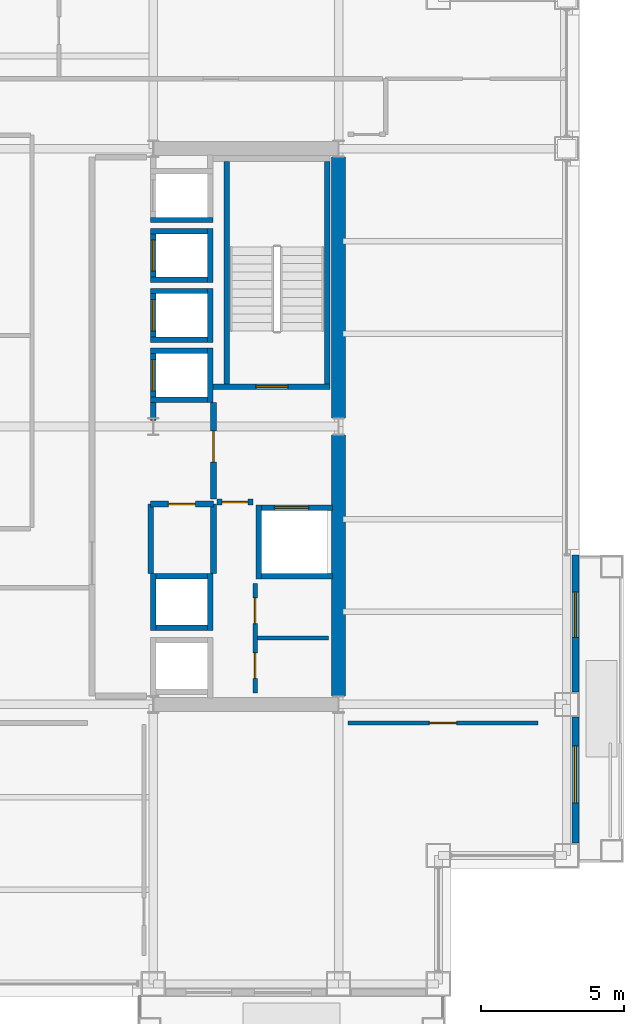
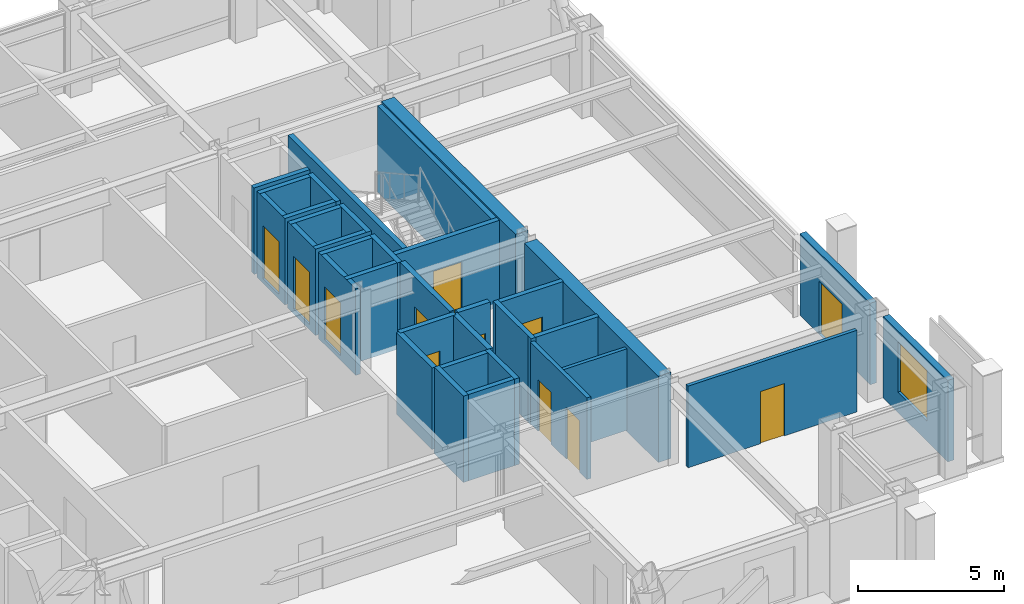
# One storey, part 30 of 34: 35 walls, 12 doors, 1 window, 13 openings.
"""IFC4 building model written with IfcOpenShell, lengths in metres."""

from ifc_helpers import new_model, si_unit, direction, frame, frame_2d, origin, place, context, subcontext, project, spatial, rectangle, extrude, material, layer, layer_set, type_object, element, fill, save


model = new_model("IFC4")

# Units and contexts
model_context = context("Model", 3, precision=1e-05, world=origin(), true_north=direction((0.0, 1.0)))
body_context = subcontext(model_context, "Body", "Model", "MODEL_VIEW")
ifc_project = project(units=[si_unit("LENGTHUNIT", "METRE"), si_unit("AREAUNIT", "SQUARE_METRE"), si_unit("VOLUMEUNIT", "CUBIC_METRE"), si_unit("PLANEANGLEUNIT", "RADIAN"), si_unit("MASSUNIT", "GRAM", prefix="KILO")], contexts=[model_context])

# Site, building, storey
site_placement = place(None, origin())
site = spatial("IfcSite", under=ifc_project, at=site_placement, CompositionType="ELEMENT")
building_placement = place(site_placement, origin())
building = spatial("IfcBuilding", under=site, at=building_placement, Name="Brelmoor Portico Tower", CompositionType="ELEMENT")
storey_placement = place(building_placement, frame((0.0, 0.0, 99.0)))
storey = spatial("IfcBuildingStorey", under=building, at=storey_placement, Name="L25", CompositionType="ELEMENT", Elevation=99.0)

# Walls
ifc_material_1 = material(Name="Concrete C60", Category="concrete")
ifc_layer_1 = layer(ifc_material_1, 0.5)
ifc_layer_set_1 = layer_set([ifc_layer_1], Name="Concrete C60")
wall_type_1 = type_object("IfcWallType", Name="WL-CORE-500", PredefinedType="SHEAR", material=ifc_layer_set_1)
for number, where, z_axis, x_axis, name in (
    (1, (14.550048828125, -9.449951171875, -0.199951171875), (0.0, 0.0, 1.0), (0.0, 1.0, 0.0), "L25 EC Outer South Shear Wall"),
    (2, (14.550048828125, 0.300048828125, -0.199951171875), (0.0, 0.0, 1.0), (0.0, 1.0, 0.0), "L25 EC Outer North Shear Wall"),
):
    element("IfcWall", number, at=place(storey_placement, frame(where, z_axis=z_axis, x_axis=x_axis)), inside=storey, type_object=wall_type_1, Name=name, PredefinedType="SHEAR", context=body_context, shape_type="SweptSolid", body=[
        extrude(rectangle(XDim=9.14990234375, YDim=0.5, at=frame_2d((4.574951171875, 0.0))), origin(), (0.0, 0.0, 1.0), 3.599853515625),
    ])

# Wall, opening, window
ifc_material_2 = material(Name="Precast Concrete C40 Insulated Facade Wall", Category="concrete")
ifc_layer_2 = layer(ifc_material_2, 0.25)
ifc_layer_set_2 = layer_set([ifc_layer_2], Name="Precast Concrete C40 Insulated Facade Wall")
wall_type_2 = type_object("IfcWallType", Name="WL-EXT-250", PredefinedType="STANDARD", material=ifc_layer_set_2)
wall_1_placement = place(storey_placement, frame((22.860107421875, -14.60498046875, 0.0), z_axis=(0.0, 0.0, 1.0), x_axis=(0.0, 1.0, 0.0)))
wall_1 = element("IfcWall", 3, at=wall_1_placement, inside=storey, type_object=wall_type_2, Name="L25 Loggia Threshold Wall E-1", PredefinedType="STANDARD", context=body_context, shape_type="SweptSolid", body=[
    extrude(rectangle(XDim=4.409912109375, YDim=0.25, at=frame_2d((2.205078125, 0.0))), origin(), (0.0, 0.0, 1.0), 3.39990234375),
])
opening_1_placement = place(wall_1_placement, frame((1.405029296875, 0.0, 0.85009765625)))
opening_1 = element("IfcOpeningElement", 4, at=opening_1_placement, cuts=wall_1, Name="Opening W-03", PredefinedType="OPENING", context=body_context, shape_type="SweptSolid", body=[
    extrude(rectangle(XDim=2.0, YDim=2.10009765625, at=frame_2d((1.0, 1.050048828125))), frame((0.0, 0.135009765625, 0.0), z_axis=(0.0, -1.0, 0.0), x_axis=(1.0, 0.0, 0.0)), (0.0, 0.0, 1.0), 0.27001953125),
])
ifc_material_3 = material(Name="Thermally Broken Aluminium Low-E Window", Category="aluminium")
window_type = type_object("IfcWindowType", Name="WN-LOGGIA-2000x2100", PartitioningType="SINGLE_PANEL", PredefinedType="WINDOW", material=ifc_material_3)
window_placement = place(opening_1_placement, origin())
window = element("IfcWindow", 5, at=window_placement, inside=storey, type_object=window_type, Name="L25 Loggia Window E", OverallHeight=2.10009765625, OverallWidth=2.0, PartitioningType="SINGLE_PANEL", PredefinedType="WINDOW", context=body_context, shape_type="SweptSolid", body=[
    extrude(rectangle(XDim=2.0, YDim=2.10009765625, at=frame_2d((1.0, 1.050048828125))), frame((0.0, 0.030029296875, 0.0), z_axis=(0.0, -1.0, 0.0), x_axis=(1.0, 0.0, 0.0)), (0.0, 0.0, 1.0), 0.06005859375),
])
fill(opening_1, window)

# Wall, opening, door
wall_2_placement = place(storey_placement, frame((22.860107421875, -9.304931640625, 0.0), z_axis=(0.0, 0.0, 1.0), x_axis=(0.0, 1.0, 0.0)))
wall_2 = element("IfcWall", 6, at=wall_2_placement, inside=storey, type_object=wall_type_2, Name="L25 Loggia Threshold Wall E-2", PredefinedType="STANDARD", context=body_context, shape_type="SweptSolid", body=[
    extrude(rectangle(XDim=4.804931640625, YDim=0.25, at=frame_2d((2.40234375, 0.0))), origin(), (0.0, 0.0, 1.0), 3.39990234375),
])
opening_2_placement = place(wall_2_placement, frame((1.905029296875, 0.0, 0.0)))
opening_2 = element("IfcOpeningElement", 7, at=opening_2_placement, cuts=wall_2, Name="Opening D-TB1", PredefinedType="OPENING", context=body_context, shape_type="SweptSolid", body=[
    extrude(rectangle(XDim=1.60009765625, YDim=2.199951171875, at=frame_2d((0.800048828125, 1.10009765625))), frame((0.0, 0.135009765625, 0.0), z_axis=(0.0, -1.0, 0.0), x_axis=(1.0, 0.0, 0.0)), (0.0, 0.0, 1.0), 0.27001953125),
])
ifc_material_4 = material(Name="Double-Leaf Thermally Broken Terrace Door", Category="aluminium")
door_type_1 = type_object("IfcDoorType", Name="DR-BALCONY-1600", OperationType="NOTDEFINED", PredefinedType="DOOR", material=ifc_material_4)
door_1_placement = place(opening_2_placement, origin())
door_1 = element("IfcDoor", 8, at=door_1_placement, inside=storey, type_object=door_type_1, Name="D-1120 L25 Tree Balcony Double Door E", OperationType="DOUBLE_DOOR_SINGLE_SWING", OverallHeight=2.199951171875, OverallWidth=1.60009765625, PredefinedType="DOOR", context=body_context, shape_type="SweptSolid", body=[
    extrude(rectangle(XDim=1.60009765625, YDim=2.199951171875, at=frame_2d((0.800048828125, 1.10009765625))), frame((0.0, 0.02490234375, 0.0), z_axis=(0.0, -1.0, 0.0), x_axis=(1.0, 0.0, 0.0)), (0.0, 0.0, 1.0), 0.050048828125),
])
fill(opening_2, door_1)

# Wall
ifc_material_5 = material(Name="Insulated Stud Suite Partition", Category="gypsum")
ifc_layer_3 = layer(ifc_material_5, 0.139892578125)
ifc_layer_set_3 = layer_set([ifc_layer_3], Name="Insulated Stud Suite Partition")
wall_type_3 = type_object("IfcWallType", Name="WL-PART-140", PredefinedType="PARTITIONING", material=ifc_layer_set_3)
wall_3_placement = place(storey_placement, frame((11.699951171875, -7.425048828125, 0.0), z_axis=(0.0, 0.0, 1.0), x_axis=(1.0, 0.0, 0.0)))
element("IfcWall", 9, at=wall_3_placement, inside=storey, type_object=wall_type_3, Name="L25 E Core WC Divider 1", PredefinedType="PARTITIONING", context=body_context, shape_type="SweptSolid", body=[
    extrude(rectangle(XDim=2.5, YDim=0.139892578125, at=frame_2d((1.25, 0.0))), origin(), (0.0, 0.0, 1.0), 3.39990234375),
])

# Wall, opening, door
wall_4_placement = place(storey_placement, frame((14.8798828125, -10.39990234375, 0.0), z_axis=(0.0, 0.0, 1.0), x_axis=(1.0, 0.0, 0.0)))
wall_4 = element("IfcWall", 10, at=wall_4_placement, inside=storey, type_object=wall_type_3, Name="L25 South Wing Closure ER", PredefinedType="PARTITIONING", context=body_context, shape_type="SweptSolid", body=[
    extrude(rectangle(XDim=6.670166015625, YDim=0.139892578125, at=frame_2d((3.3349609375, 0.0))), origin(), (0.0, 0.0, 1.0), 3.39990234375),
])
opening_3_placement = place(wall_4_placement, frame((2.85498046875, 0.0, 0.0)))
opening_3 = element("IfcOpeningElement", 11, at=opening_3_placement, cuts=wall_4, Name="Opening D-IN2", PredefinedType="OPENING", context=body_context, shape_type="SweptSolid", body=[
    extrude(rectangle(XDim=0.9599609375, YDim=2.179931640625, at=frame_2d((0.47998046875, 1.08984375))), frame((0.0, 0.079833984375, 0.0), z_axis=(0.0, -1.0, 0.0), x_axis=(1.0, 0.0, 0.0)), (0.0, 0.0, 1.0), 0.159912109375),
])
ifc_material_6 = material(Name="Lacquered Timber Suite Door", Category="wood")
door_type_2 = type_object("IfcDoorType", Name="DR-INT-950", OperationType="NOTDEFINED", PredefinedType="DOOR", material=ifc_material_6)
door_2_placement = place(opening_3_placement, origin())
door_2 = element("IfcDoor", 12, at=door_2_placement, inside=storey, type_object=door_type_2, Name="D-1118 L25 ER Wing South Suite Door", OperationType="SINGLE_SWING_RIGHT", OverallHeight=2.179931640625, OverallWidth=0.9599609375, PredefinedType="DOOR", context=body_context, shape_type="SweptSolid", body=[
    extrude(rectangle(XDim=0.9599609375, YDim=2.179931640625, at=frame_2d((0.47998046875, 1.08984375))), frame((0.0, 0.02490234375, 0.0), z_axis=(0.0, -1.0, 0.0), x_axis=(1.0, 0.0, 0.0)), (0.0, 0.0, 1.0), 0.050048828125),
])
fill(opening_3, door_2)

# Wall, openings, doors
ifc_material_7 = material(Name="Twin-Frame Acoustic Partition", Category="gypsum")
ifc_layer_4 = layer(ifc_material_7, 0.159912109375)
ifc_layer_set_4 = layer_set([ifc_layer_4], Name="Twin-Frame Acoustic Partition")
wall_type_4 = type_object("IfcWallType", Name="WL-PART-160", PredefinedType="PARTITIONING", material=ifc_layer_set_4)
wall_5_placement = place(storey_placement, frame((11.6201171875, -9.35009765625, 0.0), z_axis=(0.0, 0.0, 1.0), x_axis=(0.0, 1.0, 0.0)))
wall_5 = element("IfcWall", 13, at=wall_5_placement, inside=storey, type_object=wall_type_4, Name="L25 E Core Service Front Wall", PredefinedType="PARTITIONING", context=body_context, shape_type="SweptSolid", body=[
    extrude(rectangle(XDim=3.85009765625, YDim=0.159912109375, at=frame_2d((1.925048828125, 0.0))), origin(), (0.0, 0.0, 1.0), 3.39990234375),
])
opening_4_placement = place(wall_5_placement, frame((0.512451171875, 0.0, 0.0)))
opening_4 = element("IfcOpeningElement", 14, at=opening_4_placement, cuts=wall_5, Name="Opening D-IN1", PredefinedType="OPENING", context=body_context, shape_type="SweptSolid", body=[
    extrude(rectangle(XDim=0.89990234375, YDim=2.14990234375, at=frame_2d((0.449951171875, 1.074951171875))), frame((0.0, 0.08984375, 0.0), z_axis=(0.0, -1.0, 0.0), x_axis=(1.0, 0.0, 0.0)), (0.0, 0.0, 1.0), 0.179931640625),
])
opening_5_placement = place(wall_5_placement, frame((2.4375, 0.0, 0.0)))
opening_5 = element("IfcOpeningElement", 15, at=opening_5_placement, cuts=wall_5, Name="Opening D-IN1", PredefinedType="OPENING", context=body_context, shape_type="SweptSolid", body=[
    extrude(rectangle(XDim=0.89990234375, YDim=2.14990234375, at=frame_2d((0.449951171875, 1.074951171875))), frame((0.0, 0.08984375, 0.0), z_axis=(0.0, -1.0, 0.0), x_axis=(1.0, 0.0, 0.0)), (0.0, 0.0, 1.0), 0.179931640625),
])
door_type_3 = type_object("IfcDoorType", Name="DR-INT-900", OperationType="NOTDEFINED", PredefinedType="DOOR", material=ifc_material_6)
door_3_placement = place(opening_4_placement, origin())
door_3 = element("IfcDoor", 16, at=door_3_placement, inside=storey, type_object=door_type_3, Name="D-1095 L25 E Male WC Door", OperationType="SINGLE_SWING_RIGHT", OverallHeight=2.14990234375, OverallWidth=0.89990234375, PredefinedType="DOOR", context=body_context, shape_type="SweptSolid", body=[
    extrude(rectangle(XDim=0.89990234375, YDim=2.14990234375, at=frame_2d((0.449951171875, 1.074951171875))), frame((0.0, 0.02490234375, 0.0), z_axis=(0.0, -1.0, 0.0), x_axis=(1.0, 0.0, 0.0)), (0.0, 0.0, 1.0), 0.050048828125),
])
fill(opening_4, door_3)
door_4_placement = place(opening_5_placement, origin())
door_4 = element("IfcDoor", 17, at=door_4_placement, inside=storey, type_object=door_type_3, Name="D-1096 L25 E Female WC Door", OperationType="SINGLE_SWING_LEFT", OverallHeight=2.14990234375, OverallWidth=0.89990234375, PredefinedType="DOOR", context=body_context, shape_type="SweptSolid", body=[
    extrude(rectangle(XDim=0.89990234375, YDim=2.14990234375, at=frame_2d((0.449951171875, 1.074951171875))), frame((0.0, 0.02490234375, 0.0), z_axis=(0.0, -1.0, 0.0), x_axis=(1.0, 0.0, 0.0)), (0.0, 0.0, 1.0), 0.050048828125),
])
fill(opening_5, door_4)

# Wall, opening, door
ifc_material_8 = material(Name="Double-Stud Gypsum Fire Partition", Category="gypsum")
ifc_layer_5 = layer(ifc_material_8, 0.199951171875)
ifc_layer_set_5 = layer_set([ifc_layer_5], Name="Double-Stud Gypsum Fire Partition")
wall_type_5 = type_object("IfcWallType", Name="WL-PART-200", PredefinedType="PARTITIONING", material=ifc_layer_set_5)
wall_6_placement = place(storey_placement, frame((10.159912109375, -2.550048828125, 0.0), z_axis=(0.0, 0.0, 1.0), x_axis=(0.0, 1.0, 0.0)))
wall_6 = element("IfcWall", 18, at=wall_6_placement, inside=storey, type_object=wall_type_5, Name="L25 E Firefighting Lobby Wall", PredefinedType="PARTITIONING", context=body_context, shape_type="SweptSolid", body=[
    extrude(rectangle(XDim=3.400146484375, YDim=0.199951171875, at=frame_2d((1.7001953125, 0.0))), origin(), (0.0, 0.0, 1.0), 3.39990234375),
])
opening_6_placement = place(wall_6_placement, frame((1.300048828125, 0.0, 0.0)))
opening_6 = element("IfcOpeningElement", 19, at=opening_6_placement, cuts=wall_6, Name="Opening D-FR1", PredefinedType="OPENING", context=body_context, shape_type="SweptSolid", body=[
    extrude(rectangle(XDim=1.10009765625, YDim=2.14990234375, at=frame_2d((0.550048828125, 1.074951171875))), frame((0.0, 0.10986328125, 0.0), z_axis=(0.0, -1.0, 0.0), x_axis=(1.0, 0.0, 0.0)), (0.0, 0.0, 1.0), 0.219970703125),
])
ifc_material_9 = material(Name="Painted Galvanised Steel Fire Door", Category="steel")
door_type_4 = type_object("IfcDoorType", Name="DR-FIRE-1100", OperationType="NOTDEFINED", PredefinedType="DOOR", material=ifc_material_9)
door_5_placement = place(opening_6_placement, origin())
door_5 = element("IfcDoor", 20, at=door_5_placement, inside=storey, type_object=door_type_4, Name="D-1103 L25 E Firefighting Lobby Door", OperationType="SINGLE_SWING_LEFT", OverallHeight=2.14990234375, OverallWidth=1.10009765625, PredefinedType="DOOR", context=body_context, shape_type="SweptSolid", body=[
    extrude(rectangle(XDim=1.10009765625, YDim=2.14990234375, at=frame_2d((0.550048828125, 1.074951171875))), frame((0.0, 0.02490234375, 0.0), z_axis=(0.0, -1.0, 0.0), x_axis=(1.0, 0.0, 0.0)), (0.0, 0.0, 1.0), 0.050048828125),
])
fill(opening_6, door_5)

wall_7_placement = place(storey_placement, frame((10.280029296875, -2.64990234375, 0.0), z_axis=(0.0, 0.0, 1.0), x_axis=(1.0, 0.0, 0.0)))
wall_7 = element("IfcWall", 21, at=wall_7_placement, inside=storey, type_object=wall_type_5, Name="L25 E Firefighting Lobby South Wall", PredefinedType="PARTITIONING", context=body_context, shape_type="SweptSolid", body=[
    extrude(rectangle(XDim=1.27001953125, YDim=0.199951171875, at=frame_2d((0.635009765625, 0.0))), origin(), (0.0, 0.0, 1.0), 3.39990234375),
])
opening_7_placement = place(wall_7_placement, frame((0.18505859375, 0.0, 0.0)))
opening_7 = element("IfcOpeningElement", 22, at=opening_7_placement, cuts=wall_7, Name="Opening D-IN1", PredefinedType="OPENING", context=body_context, shape_type="SweptSolid", body=[
    extrude(rectangle(XDim=0.89990234375, YDim=2.14990234375, at=frame_2d((0.449951171875, 1.074951171875))), frame((0.0, 0.10986328125, 0.0), z_axis=(0.0, -1.0, 0.0), x_axis=(1.0, 0.0, 0.0)), (0.0, 0.0, 1.0), 0.219970703125),
])
door_6_placement = place(opening_7_placement, origin())
door_6 = element("IfcDoor", 23, at=door_6_placement, inside=storey, type_object=door_type_3, Name="D-1097 L25 E Core Service Vestibule Door", OperationType="SINGLE_SWING_RIGHT", OverallHeight=2.14990234375, OverallWidth=0.89990234375, PredefinedType="DOOR", context=body_context, shape_type="SweptSolid", body=[
    extrude(rectangle(XDim=0.89990234375, YDim=2.14990234375, at=frame_2d((0.449951171875, 1.074951171875))), frame((0.0, 0.02490234375, 0.0), z_axis=(0.0, -1.0, 0.0), x_axis=(1.0, 0.0, 0.0)), (0.0, 0.0, 1.0), 0.050048828125),
])
fill(opening_7, door_6)

wall_8_placement = place(storey_placement, frame((7.9599609375, -2.719970703125, 0.0), z_axis=(0.0, 0.0, 1.0), x_axis=(1.0, 0.0, 0.0)))
wall_8 = element("IfcWall", 24, at=wall_8_placement, inside=storey, type_object=wall_type_5, Name="L25 E Electrical Switchgear Closet Wall", PredefinedType="PARTITIONING", context=body_context, shape_type="SweptSolid", body=[
    extrude(rectangle(XDim=2.199951171875, YDim=0.199951171875, at=frame_2d((1.10009765625, 0.0))), origin(), (0.0, 0.0, 1.0), 3.39990234375),
])
opening_8_placement = place(wall_8_placement, frame((0.6201171875, 0.0, 0.0)))
opening_8 = element("IfcOpeningElement", 25, at=opening_8_placement, cuts=wall_8, Name="Opening D-FR4", PredefinedType="OPENING", context=body_context, shape_type="SweptSolid", body=[
    extrude(rectangle(XDim=0.949951171875, YDim=2.10009765625, at=frame_2d((0.47509765625, 1.050048828125))), frame((0.0, 0.10986328125, 0.0), z_axis=(0.0, -1.0, 0.0), x_axis=(1.0, 0.0, 0.0)), (0.0, 0.0, 1.0), 0.219970703125),
])
ifc_material_10 = material(Name="Painted Galvanised Steel Riser Door", Category="steel")
door_type_5 = type_object("IfcDoorType", Name="DR-FIRE-950", OperationType="NOTDEFINED", PredefinedType="DOOR", material=ifc_material_10)
door_7_placement = place(opening_8_placement, origin())
door_7 = element("IfcDoor", 26, at=door_7_placement, inside=storey, type_object=door_type_5, Name="D-1101 L25 E Electrical Switchgear Closet Door", OperationType="SINGLE_SWING_LEFT", OverallHeight=2.10009765625, OverallWidth=0.949951171875, PredefinedType="DOOR", context=body_context, shape_type="SweptSolid", body=[
    extrude(rectangle(XDim=0.949951171875, YDim=2.10009765625, at=frame_2d((0.47509765625, 1.050048828125))), frame((0.0, 0.02490234375, 0.0), z_axis=(0.0, -1.0, 0.0), x_axis=(1.0, 0.0, 0.0)), (0.0, 0.0, 1.0), 0.050048828125),
])
fill(opening_8, door_7)

# Walls
for number, where, z_axis, x_axis, name in (
    (27, (7.9599609375, -5.159912109375, 0.0), (0.0, 0.0, 1.0), (0.0, 1.0, 0.0), "L25 E Electrical Switchgear Closet Inner Wall"),
    (28, (10.159912109375, -5.159912109375, 0.0), (0.0, 0.0, 1.0), (0.0, 1.0, 0.0), "L25 E Electrical Switchgear Closet Outer Wall"),
):
    element("IfcWall", number, at=place(storey_placement, frame(where, z_axis=z_axis, x_axis=x_axis)), inside=storey, type_object=wall_type_5, Name=name, PredefinedType="PARTITIONING", context=body_context, shape_type="SweptSolid", body=[
        extrude(rectangle(XDim=2.43994140625, YDim=0.199951171875, at=frame_2d((1.219970703125, 0.0))), origin(), (0.0, 0.0, 1.0), 3.39990234375),
    ])

# Wall, opening, door
ifc_material_11 = material(Name="Precast Concrete C40", Category="concrete")
ifc_layer_6 = layer(ifc_material_11, 0.18994140625)
ifc_layer_set_6 = layer_set([ifc_layer_6], Name="Precast Concrete C40")
wall_type_6 = type_object("IfcWallType", Name="WL-SHAFT-180", PredefinedType="SOLIDWALL", material=ifc_layer_set_6)
wall_9_placement = place(storey_placement, frame((8.044921875, 0.2099609375, -0.199951171875), z_axis=(0.0, 0.0, 1.0), x_axis=(0.0, 1.0, 0.0)))
wall_9 = element("IfcWall", 29, at=wall_9_placement, inside=storey, type_object=wall_type_6, Name="L25 Lift PM1 Hoistway Front Wall", PredefinedType="SOLIDWALL", context=body_context, shape_type="SweptSolid", body=[
    extrude(rectangle(XDim=2.5400390625, YDim=0.18994140625, at=frame_2d((1.27001953125, 0.0))), origin(), (0.0, 0.0, 1.0), 3.599853515625),
])
opening_9_placement = place(wall_9_placement, frame((1.0400390625, 0.0, 0.199951171875)))
opening_9 = element("IfcOpeningElement", 30, at=opening_9_placement, cuts=wall_9, Name="Opening LD-01", PredefinedType="OPENING", context=body_context, shape_type="SweptSolid", body=[
    extrude(rectangle(XDim=1.10009765625, YDim=2.199951171875, at=frame_2d((0.550048828125, 1.10009765625))), frame((0.0, 0.10498046875, 0.0), z_axis=(0.0, -1.0, 0.0), x_axis=(1.0, 0.0, 0.0)), (0.0, 0.0, 1.0), 0.2099609375),
])
ifc_material_12 = material(Name="Brushed Stainless Steel Sliding Lift Door", Category="steel")
door_type_6 = type_object("IfcDoorType", Name="DR-LIFT-1100", OperationType="NOTDEFINED", PredefinedType="DOOR", material=ifc_material_12)
door_8_placement = place(opening_9_placement, origin())
door_8 = element("IfcDoor", 31, at=door_8_placement, inside=storey, type_object=door_type_6, Name="D-1128 L25 Lift PM1 Sliding Landing Door", OperationType="SLIDING_TO_LEFT", OverallHeight=2.199951171875, OverallWidth=1.10009765625, PredefinedType="DOOR", context=body_context, shape_type="SweptSolid", body=[
    extrude(rectangle(XDim=1.10009765625, YDim=2.199951171875, at=frame_2d((0.550048828125, 1.10009765625))), frame((0.0, 0.02490234375, 0.0), z_axis=(0.0, -1.0, 0.0), x_axis=(1.0, 0.0, 0.0)), (0.0, 0.0, 1.0), 0.050048828125),
])
fill(opening_9, door_8)

# Walls
wall_10_placement = place(storey_placement, frame((10.054931640625, 0.85009765625, -0.199951171875), z_axis=(0.0, 0.0, 1.0), x_axis=(0.0, 1.0, 0.0)))
element("IfcWall", 32, at=wall_10_placement, inside=storey, type_object=wall_type_6, Name="L25 Lift PM1 Hoistway Back Wall", PredefinedType="SOLIDWALL", context=body_context, shape_type="SweptSolid", body=[
    extrude(rectangle(XDim=1.89990234375, YDim=0.18994140625, at=frame_2d((0.949951171875, 0.0))), origin(), (0.0, 0.0, 1.0), 3.599853515625),
])
for number, where, z_axis, x_axis, name in (
    (33, (7.949951171875, 2.655029296875, -0.199951171875), (0.0, 0.0, 1.0), (1.0, 0.0, 0.0), "L25 Lift PM1 Hoistway North Wall"),
    (34, (7.949951171875, 0.945068359375, -0.199951171875), (0.0, 0.0, 1.0), (1.0, 0.0, 0.0), "L25 Lift PM1 Hoistway South Wall"),
):
    element("IfcWall", number, at=place(storey_placement, frame(where, z_axis=z_axis, x_axis=x_axis)), inside=storey, type_object=wall_type_6, Name=name, PredefinedType="SOLIDWALL", context=body_context, shape_type="SweptSolid", body=[
        extrude(rectangle(XDim=2.199951171875, YDim=0.18994140625, at=frame_2d((1.10009765625, 0.0))), origin(), (0.0, 0.0, 1.0), 3.599853515625),
    ])

# Wall, opening, door
wall_11_placement = place(storey_placement, frame((8.044921875, 2.949951171875, -0.199951171875), z_axis=(0.0, 0.0, 1.0), x_axis=(0.0, 1.0, 0.0)))
wall_11 = element("IfcWall", 35, at=wall_11_placement, inside=storey, type_object=wall_type_6, Name="L25 Lift PM2 Hoistway Front Wall", PredefinedType="SOLIDWALL", context=body_context, shape_type="SweptSolid", body=[
    extrude(rectangle(XDim=1.900146484375, YDim=0.18994140625, at=frame_2d((0.9501953125, 0.0))), origin(), (0.0, 0.0, 1.0), 3.599853515625),
])
opening_10_placement = place(wall_11_placement, frame((0.39990234375, 0.0, 0.199951171875)))
opening_10 = element("IfcOpeningElement", 36, at=opening_10_placement, cuts=wall_11, Name="Opening LD-01", PredefinedType="OPENING", context=body_context, shape_type="SweptSolid", body=[
    extrude(rectangle(XDim=1.10009765625, YDim=2.199951171875, at=frame_2d((0.550048828125, 1.10009765625))), frame((0.0, 0.10498046875, 0.0), z_axis=(0.0, -1.0, 0.0), x_axis=(1.0, 0.0, 0.0)), (0.0, 0.0, 1.0), 0.2099609375),
])
door_9_placement = place(opening_10_placement, origin())
door_9 = element("IfcDoor", 37, at=door_9_placement, inside=storey, type_object=door_type_6, Name="D-1129 L25 Lift PM2 Sliding Landing Door", OperationType="SLIDING_TO_LEFT", OverallHeight=2.199951171875, OverallWidth=1.10009765625, PredefinedType="DOOR", context=body_context, shape_type="SweptSolid", body=[
    extrude(rectangle(XDim=1.10009765625, YDim=2.199951171875, at=frame_2d((0.550048828125, 1.10009765625))), frame((0.0, 0.02490234375, 0.0), z_axis=(0.0, -1.0, 0.0), x_axis=(1.0, 0.0, 0.0)), (0.0, 0.0, 1.0), 0.050048828125),
])
fill(opening_10, door_9)

# Walls
wall_12_placement = place(storey_placement, frame((10.054931640625, 2.949951171875, -0.199951171875), z_axis=(0.0, 0.0, 1.0), x_axis=(0.0, 1.0, 0.0)))
element("IfcWall", 38, at=wall_12_placement, inside=storey, type_object=wall_type_6, Name="L25 Lift PM2 Hoistway Back Wall", PredefinedType="SOLIDWALL", context=body_context, shape_type="SweptSolid", body=[
    extrude(rectangle(XDim=1.900146484375, YDim=0.18994140625, at=frame_2d((0.9501953125, 0.0))), origin(), (0.0, 0.0, 1.0), 3.599853515625),
])
for number, where, z_axis, x_axis, name in (
    (39, (7.949951171875, 4.7548828125, -0.199951171875), (0.0, 0.0, 1.0), (1.0, 0.0, 0.0), "L25 Lift PM2 Hoistway North Wall"),
    (40, (7.949951171875, 3.044921875, -0.199951171875), (0.0, 0.0, 1.0), (1.0, 0.0, 0.0), "L25 Lift PM2 Hoistway South Wall"),
):
    element("IfcWall", number, at=place(storey_placement, frame(where, z_axis=z_axis, x_axis=x_axis)), inside=storey, type_object=wall_type_6, Name=name, PredefinedType="SOLIDWALL", context=body_context, shape_type="SweptSolid", body=[
        extrude(rectangle(XDim=2.199951171875, YDim=0.18994140625, at=frame_2d((1.10009765625, 0.0))), origin(), (0.0, 0.0, 1.0), 3.599853515625),
    ])

# Wall, opening, door
wall_13_placement = place(storey_placement, frame((8.044921875, 5.050048828125, -0.199951171875), z_axis=(0.0, 0.0, 1.0), x_axis=(0.0, 1.0, 0.0)))
wall_13 = element("IfcWall", 41, at=wall_13_placement, inside=storey, type_object=wall_type_6, Name="L25 Lift PM3 Hoistway Front Wall", PredefinedType="SOLIDWALL", context=body_context, shape_type="SweptSolid", body=[
    extrude(rectangle(XDim=1.89990234375, YDim=0.18994140625, at=frame_2d((0.949951171875, 0.0))), origin(), (0.0, 0.0, 1.0), 3.599853515625),
])
opening_11_placement = place(wall_13_placement, frame((0.39990234375, 0.0, 0.199951171875)))
opening_11 = element("IfcOpeningElement", 42, at=opening_11_placement, cuts=wall_13, Name="Opening LD-01", PredefinedType="OPENING", context=body_context, shape_type="SweptSolid", body=[
    extrude(rectangle(XDim=1.10009765625, YDim=2.199951171875, at=frame_2d((0.550048828125, 1.10009765625))), frame((0.0, 0.10498046875, 0.0), z_axis=(0.0, -1.0, 0.0), x_axis=(1.0, 0.0, 0.0)), (0.0, 0.0, 1.0), 0.2099609375),
])
door_10_placement = place(opening_11_placement, origin())
door_10 = element("IfcDoor", 43, at=door_10_placement, inside=storey, type_object=door_type_6, Name="D-1130 L25 Lift PM3 Sliding Landing Door", OperationType="SLIDING_TO_LEFT", OverallHeight=2.199951171875, OverallWidth=1.10009765625, PredefinedType="DOOR", context=body_context, shape_type="SweptSolid", body=[
    extrude(rectangle(XDim=1.10009765625, YDim=2.199951171875, at=frame_2d((0.550048828125, 1.10009765625))), frame((0.0, 0.02490234375, 0.0), z_axis=(0.0, -1.0, 0.0), x_axis=(1.0, 0.0, 0.0)), (0.0, 0.0, 1.0), 0.050048828125),
])
fill(opening_11, door_10)

# Walls
wall_14_placement = place(storey_placement, frame((10.054931640625, 5.050048828125, -0.199951171875), z_axis=(0.0, 0.0, 1.0), x_axis=(0.0, 1.0, 0.0)))
element("IfcWall", 44, at=wall_14_placement, inside=storey, type_object=wall_type_6, Name="L25 Lift PM3 Hoistway Back Wall", PredefinedType="SOLIDWALL", context=body_context, shape_type="SweptSolid", body=[
    extrude(rectangle(XDim=1.89990234375, YDim=0.18994140625, at=frame_2d((0.949951171875, 0.0))), origin(), (0.0, 0.0, 1.0), 3.599853515625),
])
for number, where, z_axis, x_axis, name in (
    (45, (7.949951171875, 6.85498046875, -0.199951171875), (0.0, 0.0, 1.0), (1.0, 0.0, 0.0), "L25 Lift PM3 Hoistway North Wall"),
    (46, (7.949951171875, 5.14501953125, -0.199951171875), (0.0, 0.0, 1.0), (1.0, 0.0, 0.0), "L25 Lift PM3 Hoistway South Wall"),
    (47, (7.949951171875, 7.2451171875, -0.199951171875), (0.0, 0.0, 1.0), (1.0, 0.0, 0.0), "L25 Lift PM4 Hoistway South Wall"),
):
    element("IfcWall", number, at=place(storey_placement, frame(where, z_axis=z_axis, x_axis=x_axis)), inside=storey, type_object=wall_type_6, Name=name, PredefinedType="SOLIDWALL", context=body_context, shape_type="SweptSolid", body=[
        extrude(rectangle(XDim=2.199951171875, YDim=0.18994140625, at=frame_2d((1.10009765625, 0.0))), origin(), (0.0, 0.0, 1.0), 3.599853515625),
    ])
for number, where, z_axis, x_axis, name in (
    (48, (8.044921875, -7.14990234375, -0.199951171875), (0.0, 0.0, 1.0), (0.0, 1.0, 0.0), "L25 Lift PH4 Hoistway Front Wall"),
    (49, (10.054931640625, -7.14990234375, -0.199951171875), (0.0, 0.0, 1.0), (0.0, 1.0, 0.0), "L25 Lift PH4 Hoistway Back Wall"),
):
    element("IfcWall", number, at=place(storey_placement, frame(where, z_axis=z_axis, x_axis=x_axis)), inside=storey, type_object=wall_type_6, Name=name, PredefinedType="SOLIDWALL", context=body_context, shape_type="SweptSolid", body=[
        extrude(rectangle(XDim=2.0, YDim=0.18994140625, at=frame_2d((1.0, 0.0))), origin(), (0.0, 0.0, 1.0), 3.599853515625),
    ])
for number, where, z_axis, x_axis, name in (
    (50, (7.949951171875, -5.2451171875, -0.199951171875), (0.0, 0.0, 1.0), (1.0, 0.0, 0.0), "L25 Lift PH4 Hoistway North Wall"),
    (51, (7.949951171875, -7.054931640625, -0.199951171875), (0.0, 0.0, 1.0), (1.0, 0.0, 0.0), "L25 Lift PH4 Hoistway South Wall"),
):
    element("IfcWall", number, at=place(storey_placement, frame(where, z_axis=z_axis, x_axis=x_axis)), inside=storey, type_object=wall_type_6, Name=name, PredefinedType="SOLIDWALL", context=body_context, shape_type="SweptSolid", body=[
        extrude(rectangle(XDim=2.199951171875, YDim=0.18994140625, at=frame_2d((1.10009765625, 0.0))), origin(), (0.0, 0.0, 1.0), 3.599853515625),
    ])

# Wall, opening, door
wall_15_placement = place(storey_placement, frame((11.64990234375, -2.844970703125, -0.199951171875), z_axis=(0.0, 0.0, 1.0), x_axis=(1.0, 0.0, 0.0)))
wall_15 = element("IfcWall", 52, at=wall_15_placement, inside=storey, type_object=wall_type_6, Name="L25 Lift FF2 Hoistway Front Wall", PredefinedType="SOLIDWALL", context=body_context, shape_type="SweptSolid", body=[
    extrude(rectangle(XDim=2.68017578125, YDim=0.18994140625, at=frame_2d((1.340087890625, 0.0))), origin(), (0.0, 0.0, 1.0), 3.599853515625),
])
opening_12_placement = place(wall_15_placement, frame((0.64990234375, 0.0, 0.199951171875)))
opening_12 = element("IfcOpeningElement", 53, at=opening_12_placement, cuts=wall_15, Name="Opening LD-02", PredefinedType="OPENING", context=body_context, shape_type="SweptSolid", body=[
    extrude(rectangle(XDim=1.199951171875, YDim=2.199951171875, at=frame_2d((0.60009765625, 1.10009765625))), frame((0.0, 0.10498046875, 0.0), z_axis=(0.0, -1.0, 0.0), x_axis=(1.0, 0.0, 0.0)), (0.0, 0.0, 1.0), 0.2099609375),
])
ifc_material_13 = material(Name="Brushed Stainless Steel Firefighting Lift Door", Category="steel")
door_type_7 = type_object("IfcDoorType", Name="DR-LIFT-1200", OperationType="NOTDEFINED", PredefinedType="DOOR", material=ifc_material_13)
door_11_placement = place(opening_12_placement, origin())
door_11 = element("IfcDoor", 54, at=door_11_placement, inside=storey, type_object=door_type_7, Name="D-1127 L25 Lift FF2 Sliding Landing Door", OperationType="SLIDING_TO_LEFT", OverallHeight=2.199951171875, OverallWidth=1.199951171875, PredefinedType="DOOR", context=body_context, shape_type="SweptSolid", body=[
    extrude(rectangle(XDim=1.199951171875, YDim=2.199951171875, at=frame_2d((0.60009765625, 1.10009765625))), frame((0.0, 0.02490234375, 0.0), z_axis=(0.0, -1.0, 0.0), x_axis=(1.0, 0.0, 0.0)), (0.0, 0.0, 1.0), 0.050048828125),
])
fill(opening_12, door_11)

# Walls
wall_16_placement = place(storey_placement, frame((11.64990234375, -5.2548828125, -0.199951171875), z_axis=(0.0, 0.0, 1.0), x_axis=(1.0, 0.0, 0.0)))
element("IfcWall", 55, at=wall_16_placement, inside=storey, type_object=wall_type_6, Name="L25 Firefighting Lift FF2 South Wall", PredefinedType="SOLIDWALL", context=body_context, shape_type="SweptSolid", body=[
    extrude(rectangle(XDim=2.68017578125, YDim=0.18994140625, at=frame_2d((1.340087890625, 0.0))), origin(), (0.0, 0.0, 1.0), 3.599853515625),
])
wall_17_placement = place(storey_placement, frame((11.7451171875, -5.35009765625, -0.199951171875), z_axis=(0.0, 0.0, 1.0), x_axis=(0.0, 1.0, 0.0)))
element("IfcWall", 56, at=wall_17_placement, inside=storey, type_object=wall_type_6, Name="L25 Firefighting Lift FF2 Inner Wall", PredefinedType="SOLIDWALL", context=body_context, shape_type="SweptSolid", body=[
    extrude(rectangle(XDim=2.60009765625, YDim=0.18994140625, at=frame_2d((1.300048828125, 0.0))), origin(), (0.0, 0.0, 1.0), 3.599853515625),
])
ifc_material_14 = material(Name="Concrete C40", Category="concrete")
ifc_layer_7 = layer(ifc_material_14, 0.199951171875)
ifc_layer_set_7 = layer_set([ifc_layer_7], Name="Concrete C40")
wall_type_7 = type_object("IfcWallType", Name="WL-SHAFT-RC200", PredefinedType="SOLIDWALL", material=ifc_layer_set_7)
wall_18_placement = place(storey_placement, frame((14.14990234375, 1.5, -0.199951171875), z_axis=(0.0, 0.0, 1.0), x_axis=(0.0, 1.0, 0.0)))
element("IfcWall", 57, at=wall_18_placement, inside=storey, type_object=wall_type_7, Name="L25 ST-E Structural Stair Wall Outer", PredefinedType="SOLIDWALL", context=body_context, shape_type="SweptSolid", body=[
    extrude(rectangle(XDim=7.800048828125, YDim=0.199951171875, at=frame_2d((3.89990234375, 0.0))), origin(), (0.0, 0.0, 1.0), 3.599853515625),
])

# Wall, opening, door
wall_19_placement = place(storey_placement, frame((10.14990234375, 1.39990234375, -0.199951171875), z_axis=(0.0, 0.0, 1.0), x_axis=(1.0, 0.0, 0.0)))
wall_19 = element("IfcWall", 58, at=wall_19_placement, inside=storey, type_object=wall_type_7, Name="L25 ST-E Structural Stair Wall S", PredefinedType="SOLIDWALL", context=body_context, shape_type="SweptSolid", body=[
    extrude(rectangle(XDim=4.10009765625, YDim=0.199951171875, at=frame_2d((2.050048828125, 0.0))), origin(), (0.0, 0.0, 1.0), 3.599853515625),
])
opening_13_placement = place(wall_19_placement, frame((1.5, 0.0, 0.199951171875)))
opening_13 = element("IfcOpeningElement", 59, at=opening_13_placement, cuts=wall_19, Name="Opening D-ST1", PredefinedType="OPENING", context=body_context, shape_type="SweptSolid", body=[
    extrude(rectangle(XDim=1.1201171875, YDim=2.179931640625, at=frame_2d((0.56005859375, 1.08984375))), frame((0.0, 0.10986328125, 0.0), z_axis=(0.0, -1.0, 0.0), x_axis=(1.0, 0.0, 0.0)), (0.0, 0.0, 1.0), 0.219970703125),
])
door_type_8 = type_object("IfcDoorType", Name="DR-STAIR-1100", OperationType="NOTDEFINED", PredefinedType="DOOR", material=ifc_material_9)
door_12_placement = place(opening_13_placement, origin())
door_12 = element("IfcDoor", 60, at=door_12_placement, inside=storey, type_object=door_type_8, Name="D-1116 L25 ST-E Protected Exit Stair Door", OperationType="SINGLE_SWING_RIGHT", OverallHeight=2.179931640625, OverallWidth=1.1201171875, PredefinedType="DOOR", context=body_context, shape_type="SweptSolid", body=[
    extrude(rectangle(XDim=1.1201171875, YDim=2.179931640625, at=frame_2d((0.56005859375, 1.08984375))), frame((0.0, 0.02490234375, 0.0), z_axis=(0.0, -1.0, 0.0), x_axis=(1.0, 0.0, 0.0)), (0.0, 0.0, 1.0), 0.050048828125),
])
fill(opening_13, door_12)

# Wall
wall_20_placement = place(storey_placement, frame((10.6298828125, 1.5, -0.199951171875), z_axis=(0.0, 0.0, 1.0), x_axis=(0.0, 1.0, 0.0)))
element("IfcWall", 61, at=wall_20_placement, inside=storey, type_object=wall_type_7, Name="L25 ST-E Structural Stair Wall Inner", PredefinedType="SOLIDWALL", context=body_context, shape_type="SweptSolid", body=[
    extrude(rectangle(XDim=7.800048828125, YDim=0.199951171875, at=frame_2d((3.89990234375, 0.0))), origin(), (0.0, 0.0, 1.0), 3.599853515625),
])

save(model, "model.ifc")
